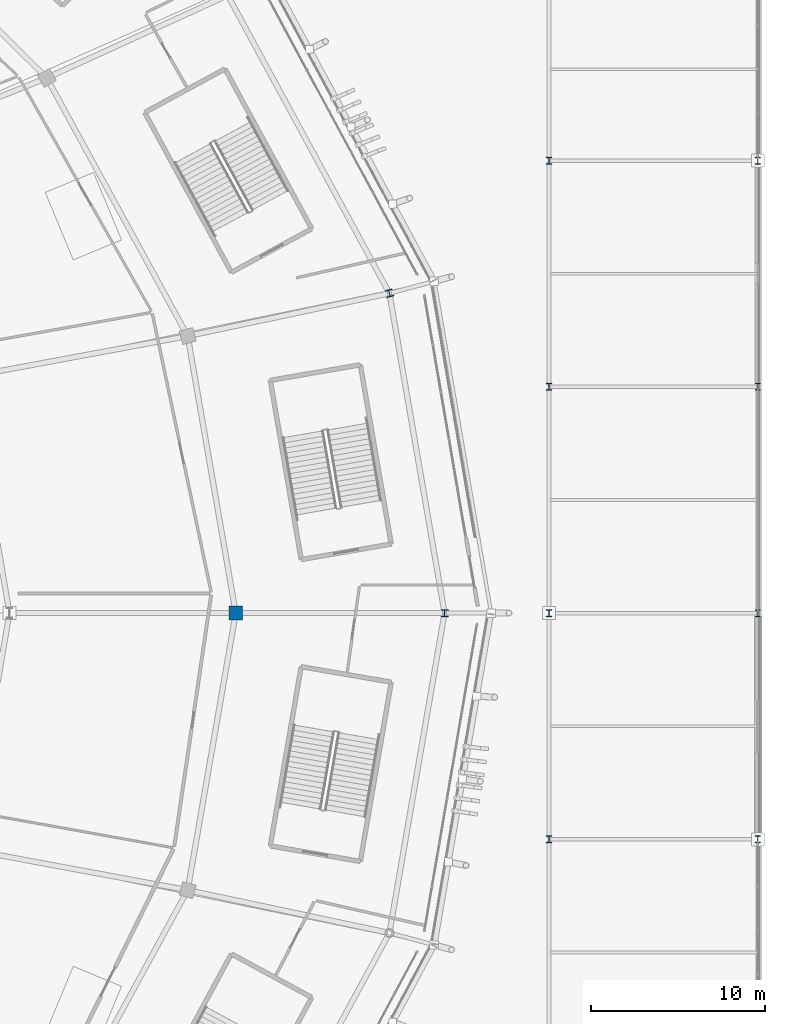
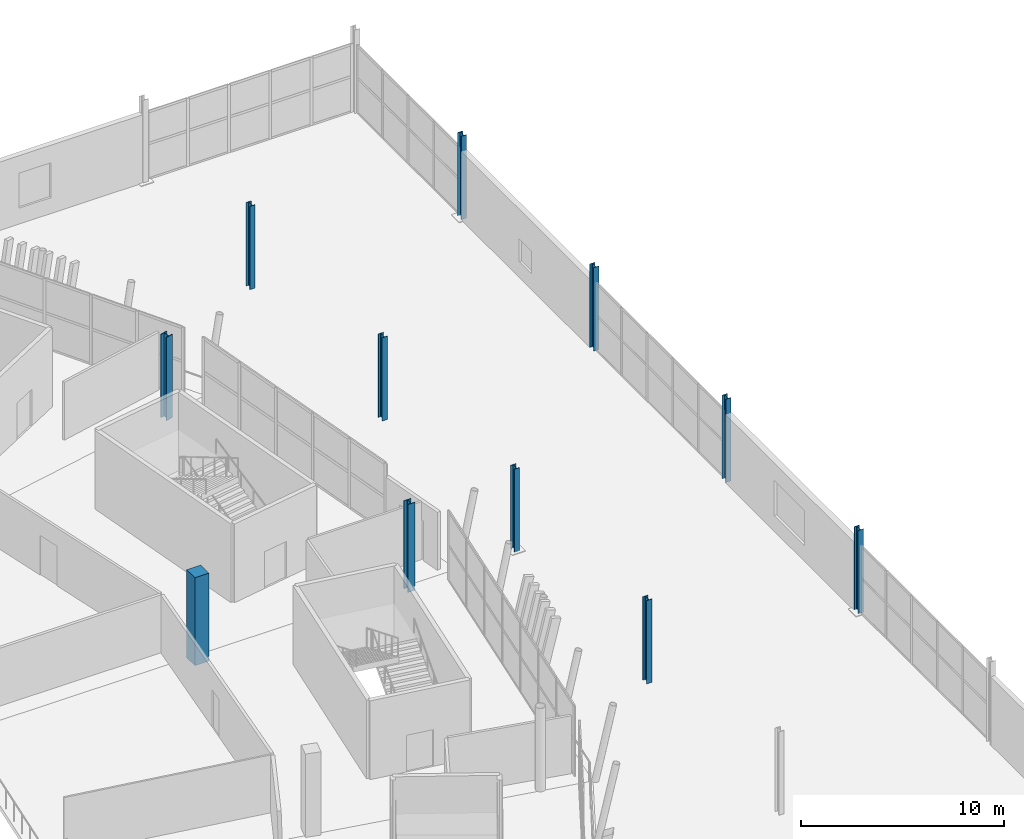
# One storey, part 16 of 179: 11 columns.
"""IFC4 building model written with IfcOpenShell, lengths in metres."""

from ifc_helpers import new_model, si_unit, direction, frame, origin, origin_2d, place, context, subcontext, project, spatial, rectangle, i_section, extrude, material, material_profile, profile_set, type_object, element, save


model = new_model("IFC4")

# Units and contexts
model_context = context("Model", 3, precision=1e-05, world=origin(), true_north=direction((0.0, 1.0)))
body_context = subcontext(model_context, "Body", "Model", "MODEL_VIEW")
ifc_project = project(units=[si_unit("LENGTHUNIT", "METRE"), si_unit("AREAUNIT", "SQUARE_METRE"), si_unit("VOLUMEUNIT", "CUBIC_METRE"), si_unit("PLANEANGLEUNIT", "RADIAN"), si_unit("MASSUNIT", "GRAM", prefix="KILO")], contexts=[model_context])

# Site, building, storey
site_placement = place(None, origin())
site = spatial("IfcSite", under=ifc_project, at=site_placement, CompositionType="ELEMENT")
building_placement = place(site_placement, origin())
building = spatial("IfcBuilding", under=site, at=building_placement, Name="Zlatoyarsky Gate Stadium", CompositionType="ELEMENT")
storey_placement = place(building_placement, frame((0.0, 0.0, 10.60009765625)))
storey = spatial("IfcBuildingStorey", under=building, at=storey_placement, Name="L02", CompositionType="ELEMENT", Elevation=10.60009765625)

# Columns
ifc_material_1 = material(Name="Concrete C40/50", Category="concrete")
ifc_material_profile_1 = material_profile(ifc_material_1, rectangle(XDim=0.800048828125, YDim=0.800048828125, at=origin_2d()), Name="RC COL 800X800")
ifc_profile_set_1 = profile_set([ifc_material_profile_1], Name="Concrete C40/50")
column_type_1 = type_object("IfcColumnType", Name="CONCRETE COLUMN 800X800", PredefinedType="COLUMN", material=ifc_profile_set_1)
column_1_placement = place(storey_placement, frame((192.0, 80.0, -0.280029296875), z_axis=(0.0, 0.0, 1.0), x_axis=(1.0, 0.0, 0.0)))
element("IfcColumn", 1, at=column_1_placement, inside=storey, type_object=column_type_1, Name="Column RC-C80 RB-00 on L02", PredefinedType="COLUMN", context=body_context, shape_type="SweptSolid", body=[
    extrude(rectangle(XDim=0.800048828125, YDim=0.800048828125, at=origin_2d()), origin(), (0.0, 0.0, 1.0), 5.280029296875),
])
ifc_material_2 = material(Name="Steel S355", Category="steel")
ifc_material_profile_2 = material_profile(ifc_material_2, i_section(OverallWidth=0.300048828125, OverallDepth=0.39990234375, WebThickness=0.013427734375, FlangeThickness=0.02392578125, FilletRadius=0.027099609375, at=origin_2d()), Name="HEB 400")
ifc_profile_set_2 = profile_set([ifc_material_profile_2], Name="Steel S355")
column_type_2 = type_object("IfcColumnType", Name="STEEL COLUMN HEB 400", PredefinedType="COLUMN", material=ifc_profile_set_2)
for number, where, z_axis, x_axis, name in (
    (2, (210.0, 67.0, 0.0), (0.0, 0.0, 1.0), (1.0, 0.0, 0.0), "Column ST-C400 WG-18-G on L02"),
    (3, (210.0, 80.0, 0.0), (0.0, 0.0, 1.0), (1.0, 0.0, 0.0), "Column ST-C400 WG-18-H on L02"),
    (4, (210.0, 93.0, 0.0), (0.0, 0.0, 1.0), (1.0, 0.0, 0.0), "Column ST-C400 WG-18-J on L02"),
    (5, (210.0, 106.0, 0.0), (0.0, 0.0, 1.0), (1.0, 0.0, 0.0), "Column ST-C400 WG-18-K on L02"),
    (6, (222.0, 67.0, 0.0), (0.0, 0.0, 1.0), (1.0, 0.0, 0.0), "Column ST-C400 WG-19-G on L02"),
    (7, (222.0, 80.0, 0.0), (0.0, 0.0, 1.0), (1.0, 0.0, 0.0), "Column ST-C400 WG-19-H on L02"),
    (8, (222.0, 93.0, 0.0), (0.0, 0.0, 1.0), (1.0, 0.0, 0.0), "Column ST-C400 WG-19-J on L02"),
    (9, (222.0, 106.0, 0.0), (0.0, 0.0, 1.0), (1.0, 0.0, 0.0), "Column ST-C400 WG-19-K on L02"),
):
    element("IfcColumn", number, at=place(storey_placement, frame(where, z_axis=z_axis, x_axis=x_axis)), inside=storey, type_object=column_type_2, Name=name, PredefinedType="COLUMN", context=body_context, shape_type="SweptSolid", body=[
        extrude(i_section(OverallWidth=0.300048828125, OverallDepth=0.39990234375, WebThickness=0.013427734375, FlangeThickness=0.02392578125, FilletRadius=0.027099609375, at=origin_2d()), origin(), (0.0, 0.0, 1.0), 5.0),
    ])
ifc_material_profile_3 = material_profile(ifc_material_2, i_section(OverallWidth=0.406005859375, OverallDepth=0.416015625, WebThickness=0.02392578125, FlangeThickness=0.0390625, FilletRadius=0.014892578125, at=origin_2d()), Name="HD 400X382")
ifc_profile_set_3 = profile_set([ifc_material_profile_3], Name="Steel S355")
column_type_3 = type_object("IfcColumnType", Name="STEEL PORTAL PILASTER HD 400X382", PredefinedType="PILASTER", material=ifc_profile_set_3)
column_2_placement = place(storey_placement, frame((204.0, 80.0, -0.280029296875), z_axis=(0.0, 0.0, 1.0), x_axis=(1.0, 0.0, 0.0)))
element("IfcColumn", 10, at=column_2_placement, inside=storey, type_object=column_type_3, Name="Column ST-CHD RC-00 on L02", PredefinedType="PILASTER", context=body_context, shape_type="SweptSolid", body=[
    extrude(i_section(OverallWidth=0.406005859375, OverallDepth=0.416015625, WebThickness=0.02392578125, FlangeThickness=0.0390625, FilletRadius=0.014892578125, at=origin_2d()), origin(), (0.0, 0.0, 1.0), 5.280029296875),
])
column_3_placement = place(storey_placement, frame((200.8310546875, 98.376220703125, 0.0), z_axis=(0.0, 0.0, 1.0), x_axis=(0.965925826289, 0.258819045103, 0.0)))
element("IfcColumn", 11, at=column_3_placement, inside=storey, type_object=column_type_3, Name="Column ST-CHD RC-01 on L02", PredefinedType="PILASTER", context=body_context, shape_type="SweptSolid", body=[
    extrude(i_section(OverallWidth=0.406005859375, OverallDepth=0.416015625, WebThickness=0.02392578125, FlangeThickness=0.0390625, FilletRadius=0.014892578125, at=origin_2d()), origin(), (0.0, 0.0, 1.0), 5.0),
])

save(model, "model.ifc")
